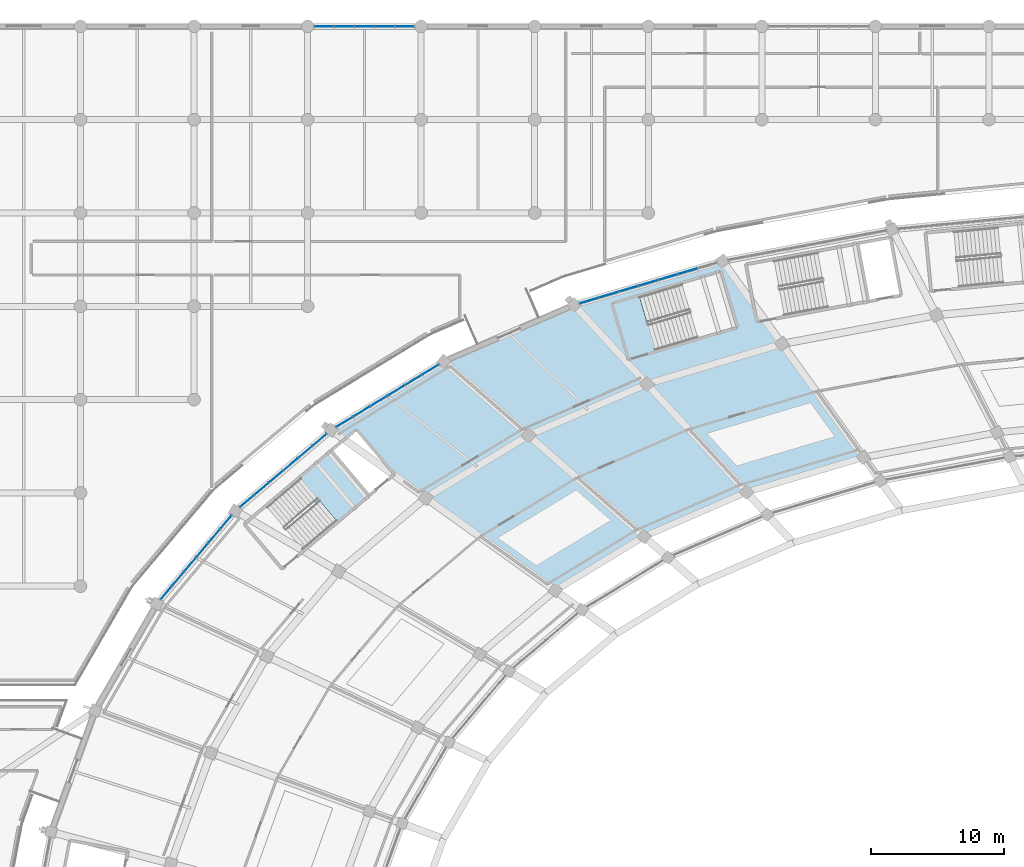
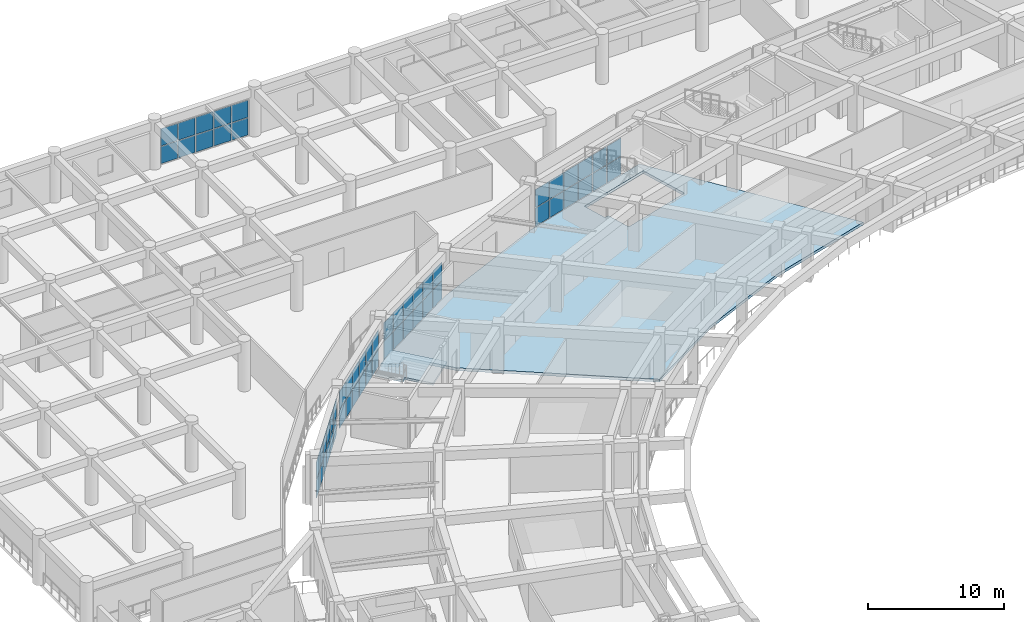
# One storey, part 86 of 145: 58 plates, 2 slabs, 6 elements without a shape of their own.
"""IFC4 building model written with IfcOpenShell, lengths in metres."""

from ifc_helpers import new_model, si_unit, direction, frame, origin, origin_2d, place, context, subcontext, project, spatial, polyline, rectangle, outline, extrude, material, layer, layer_set, type_object, element, aggregate, save


model = new_model("IFC4")

# Units and contexts
model_context = context("Model", 3, precision=1e-05, world=origin(), true_north=direction((0.0, 1.0)))
body_context = subcontext(model_context, "Body", "Model", "MODEL_VIEW")
ifc_project = project(units=[si_unit("LENGTHUNIT", "METRE"), si_unit("AREAUNIT", "SQUARE_METRE"), si_unit("VOLUMEUNIT", "CUBIC_METRE"), si_unit("PLANEANGLEUNIT", "RADIAN"), si_unit("MASSUNIT", "GRAM", prefix="KILO")], contexts=[model_context])

# Site, building, storey
site_placement = place(None, origin())
site = spatial("IfcSite", under=ifc_project, at=site_placement, CompositionType="ELEMENT")
building_placement = place(site_placement, origin())
building = spatial("IfcBuilding", under=site, at=building_placement, Name="Mphavela Belvedere Stadium", CompositionType="ELEMENT")
storey_placement = place(building_placement, frame((0.0, 0.0, 10.199951171875)))
storey = spatial("IfcBuildingStorey", under=building, at=storey_placement, Name="L02", CompositionType="ELEMENT", Elevation=10.199951171875)

# Curtain wall, plates
ifc_material_1 = material(Name="Anodised bronze unitised curtain wall framing")
ifc_layer_1 = layer(ifc_material_1, 0.195068359375)
ifc_layer_set_1 = layer_set([ifc_layer_1], Name="Anodised bronze unitised curtain wall framing")
curtain_wall_type_1 = type_object("IfcCurtainWallType", Name="CW-UNIT-04", PredefinedType="USERDEFINED", material=ifc_layer_set_1)
curtain_wall_1_placement = place(storey_placement, origin())
curtain_wall_1 = element("IfcCurtainWall", 1, at=curtain_wall_1_placement, inside=storey, type_object=curtain_wall_type_1, Name="Belvedere colonnade curtain wall L02-16", ObjectType="UNITISED CURTAIN WALL", PredefinedType="USERDEFINED")
ifc_material_2 = material(Name="Solar-control double glazing", Category="glass")
ifc_layer_2 = layer(ifc_material_2, 0.031982421875)
ifc_layer_set_2 = layer_set([ifc_layer_2], Name="Solar-control double glazing")
plate_type = type_object("IfcPlateType", Name="CWP-SOLAR-GLASS", PredefinedType="CURTAIN_PANEL", material=ifc_layer_set_2)
plate_1_placement = place(storey_placement, frame((62.594482421875, 155.623779296875, 0.06005859375), z_axis=(0.0, 0.0, 1.0), x_axis=(-0.95866207188, -0.284547064542, 0.0)))
plate_1 = element("IfcPlate", 2, at=plate_1_placement, type_object=plate_type, Name="CW-04 panel 2.1", PredefinedType="CURTAIN_PANEL", context=body_context, shape_type="SweptSolid", body=[
    extrude(rectangle(XDim=1.480712890625, YDim=0.031982421875, at=origin_2d()), origin(), (0.0, 0.0, 1.0), 1.6201171875),
])
plate_2_placement = place(storey_placement, frame((62.594482421875, 155.623779296875, 1.739990234375), z_axis=(0.0, 0.0, 1.0), x_axis=(-0.95866207188, -0.284547064542, 0.0)))
plate_2 = element("IfcPlate", 3, at=plate_2_placement, type_object=plate_type, Name="CW-04 panel 2.2", PredefinedType="CURTAIN_PANEL", context=body_context, shape_type="SweptSolid", body=[
    extrude(rectangle(XDim=1.480712890625, YDim=0.031982421875, at=origin_2d()), origin(), (0.0, 0.0, 1.0), 1.6201171875),
])
plate_3_placement = place(storey_placement, frame((61.112548828125, 155.183837890625, 0.06005859375), z_axis=(0.0, 0.0, 1.0), x_axis=(-0.95866207188, -0.284547064542, 0.0)))
plate_3 = element("IfcPlate", 4, at=plate_3_placement, type_object=plate_type, Name="CW-04 panel 3.1", PredefinedType="CURTAIN_PANEL", context=body_context, shape_type="SweptSolid", body=[
    extrude(rectangle(XDim=1.480712890625, YDim=0.031982421875, at=origin_2d()), origin(), (0.0, 0.0, 1.0), 1.6201171875),
])
plate_4_placement = place(storey_placement, frame((61.112548828125, 155.183837890625, 1.739990234375), z_axis=(0.0, 0.0, 1.0), x_axis=(-0.95866207188, -0.284547064542, 0.0)))
plate_4 = element("IfcPlate", 5, at=plate_4_placement, type_object=plate_type, Name="CW-04 panel 3.2", PredefinedType="CURTAIN_PANEL", context=body_context, shape_type="SweptSolid", body=[
    extrude(rectangle(XDim=1.480712890625, YDim=0.031982421875, at=origin_2d()), origin(), (0.0, 0.0, 1.0), 1.6201171875),
])
plate_5_placement = place(storey_placement, frame((59.630615234375, 154.744140625, 0.06005859375), z_axis=(0.0, 0.0, 1.0), x_axis=(-0.95866207188, -0.284547064542, 0.0)))
plate_5 = element("IfcPlate", 6, at=plate_5_placement, type_object=plate_type, Name="CW-04 panel 4.1", PredefinedType="CURTAIN_PANEL", context=body_context, shape_type="SweptSolid", body=[
    extrude(rectangle(XDim=1.480712890625, YDim=0.031982421875, at=origin_2d()), origin(), (0.0, 0.0, 1.0), 1.6201171875),
])
plate_6_placement = place(storey_placement, frame((59.630615234375, 154.744140625, 1.739990234375), z_axis=(0.0, 0.0, 1.0), x_axis=(-0.95866207188, -0.284547064542, 0.0)))
plate_6 = element("IfcPlate", 7, at=plate_6_placement, type_object=plate_type, Name="CW-04 panel 4.2", PredefinedType="CURTAIN_PANEL", context=body_context, shape_type="SweptSolid", body=[
    extrude(rectangle(XDim=1.480712890625, YDim=0.031982421875, at=origin_2d()), origin(), (0.0, 0.0, 1.0), 1.6201171875),
])
plate_7_placement = place(storey_placement, frame((58.148681640625, 154.30419921875, 0.06005859375), z_axis=(0.0, 0.0, 1.0), x_axis=(-0.95866207188, -0.284547064542, 0.0)))
plate_7 = element("IfcPlate", 8, at=plate_7_placement, type_object=plate_type, Name="CW-04 panel 5.1", PredefinedType="CURTAIN_PANEL", context=body_context, shape_type="SweptSolid", body=[
    extrude(rectangle(XDim=1.480712890625, YDim=0.031982421875, at=origin_2d()), origin(), (0.0, 0.0, 1.0), 1.6201171875),
])
plate_8_placement = place(storey_placement, frame((58.148681640625, 154.30419921875, 1.739990234375), z_axis=(0.0, 0.0, 1.0), x_axis=(-0.95866207188, -0.284547064542, 0.0)))
plate_8 = element("IfcPlate", 9, at=plate_8_placement, type_object=plate_type, Name="CW-04 panel 5.2", PredefinedType="CURTAIN_PANEL", context=body_context, shape_type="SweptSolid", body=[
    extrude(rectangle(XDim=1.480712890625, YDim=0.031982421875, at=origin_2d()), origin(), (0.0, 0.0, 1.0), 1.6201171875),
])
plate_9_placement = place(storey_placement, frame((56.666748046875, 153.864501953125, 0.06005859375), z_axis=(0.0, 0.0, 1.0), x_axis=(-0.95866207188, -0.284547064542, 0.0)))
plate_9 = element("IfcPlate", 10, at=plate_9_placement, type_object=plate_type, Name="CW-04 panel 6.1", PredefinedType="CURTAIN_PANEL", context=body_context, shape_type="SweptSolid", body=[
    extrude(rectangle(XDim=1.480712890625, YDim=0.031982421875, at=origin_2d()), origin(), (0.0, 0.0, 1.0), 1.6201171875),
])
plate_10_placement = place(storey_placement, frame((56.666748046875, 153.864501953125, 1.739990234375), z_axis=(0.0, 0.0, 1.0), x_axis=(-0.95866207188, -0.284547064542, 0.0)))
plate_10 = element("IfcPlate", 11, at=plate_10_placement, type_object=plate_type, Name="CW-04 panel 6.2", PredefinedType="CURTAIN_PANEL", context=body_context, shape_type="SweptSolid", body=[
    extrude(rectangle(XDim=1.480712890625, YDim=0.031982421875, at=origin_2d()), origin(), (0.0, 0.0, 1.0), 1.6201171875),
])
plate_11_placement = place(storey_placement, frame((55.200439453125, 153.42919921875, 0.06005859375), z_axis=(0.0, 0.0, 1.0), x_axis=(-0.95866207188, -0.284547064542, 0.0)))
plate_11 = element("IfcPlate", 12, at=plate_11_placement, type_object=plate_type, Name="CW-04 panel 7.1", PredefinedType="CURTAIN_PANEL", context=body_context, shape_type="SweptSolid", body=[
    extrude(rectangle(XDim=1.4482421875, YDim=0.031982421875, at=origin_2d()), origin(), (0.0, 0.0, 1.0), 1.6201171875),
])
plate_12_placement = place(storey_placement, frame((55.200439453125, 153.42919921875, 1.739990234375), z_axis=(0.0, 0.0, 1.0), x_axis=(-0.95866207188, -0.284547064542, 0.0)))
plate_12 = element("IfcPlate", 13, at=plate_12_placement, type_object=plate_type, Name="CW-04 panel 7.2", PredefinedType="CURTAIN_PANEL", context=body_context, shape_type="SweptSolid", body=[
    extrude(rectangle(XDim=1.4482421875, YDim=0.031982421875, at=origin_2d()), origin(), (0.0, 0.0, 1.0), 1.6201171875),
])
aggregate(curtain_wall_1, [plate_1, plate_2, plate_3, plate_4, plate_5, plate_6, plate_7, plate_8, plate_9, plate_10, plate_11, plate_12])

ifc_material_3 = material(Name="Anodised bronze unitised curtain wall framing")
ifc_layer_3 = layer(ifc_material_3, 0.199951171875)
ifc_layer_set_3 = layer_set([ifc_layer_3], Name="Anodised bronze unitised curtain wall framing")
curtain_wall_type_2 = type_object("IfcCurtainWallType", Name="CW-UNIT-05", PredefinedType="USERDEFINED", material=ifc_layer_set_3)
curtain_wall_2_placement = place(storey_placement, origin())
curtain_wall_2 = element("IfcCurtainWall", 14, at=curtain_wall_2_placement, inside=storey, type_object=curtain_wall_type_2, Name="Belvedere colonnade curtain wall L02-18", ObjectType="UNITISED CURTAIN WALL", PredefinedType="USERDEFINED")
plate_13_placement = place(storey_placement, frame((43.301513671875, 148.251220703125, 0.06005859375), z_axis=(0.0, 0.0, 1.0), x_axis=(-0.85432958476, -0.519731623633, 0.0)))
plate_13 = element("IfcPlate", 15, at=plate_13_placement, type_object=plate_type, Name="CW-05 panel 1.1", PredefinedType="CURTAIN_PANEL", context=body_context, shape_type="SweptSolid", body=[
    extrude(rectangle(XDim=1.420166015625, YDim=0.031982421875, at=origin_2d()), origin(), (0.0, 0.0, 1.0), 1.6201171875),
])
plate_14_placement = place(storey_placement, frame((43.301513671875, 148.251220703125, 1.739990234375), z_axis=(0.0, 0.0, 1.0), x_axis=(-0.85432958476, -0.519731623633, 0.0)))
plate_14 = element("IfcPlate", 16, at=plate_14_placement, type_object=plate_type, Name="CW-05 panel 1.2", PredefinedType="CURTAIN_PANEL", context=body_context, shape_type="SweptSolid", body=[
    extrude(rectangle(XDim=1.420166015625, YDim=0.031982421875, at=origin_2d()), origin(), (0.0, 0.0, 1.0), 1.6201171875),
])
plate_15_placement = place(storey_placement, frame((42.01904296875, 147.470947265625, 0.06005859375), z_axis=(0.0, 0.0, 1.0), x_axis=(-0.85432958476, -0.519731623633, 0.0)))
plate_15 = element("IfcPlate", 17, at=plate_15_placement, type_object=plate_type, Name="CW-05 panel 2.1", PredefinedType="CURTAIN_PANEL", context=body_context, shape_type="SweptSolid", body=[
    extrude(rectangle(XDim=1.45263671875, YDim=0.031982421875, at=origin_2d()), origin(), (0.0, 0.0, 1.0), 1.6201171875),
])
plate_16_placement = place(storey_placement, frame((42.01904296875, 147.470947265625, 1.739990234375), z_axis=(0.0, 0.0, 1.0), x_axis=(-0.85432958476, -0.519731623633, 0.0)))
plate_16 = element("IfcPlate", 18, at=plate_16_placement, type_object=plate_type, Name="CW-05 panel 2.2", PredefinedType="CURTAIN_PANEL", context=body_context, shape_type="SweptSolid", body=[
    extrude(rectangle(XDim=1.45263671875, YDim=0.031982421875, at=origin_2d()), origin(), (0.0, 0.0, 1.0), 1.6201171875),
])
plate_17_placement = place(storey_placement, frame((40.722412109375, 146.68212890625, 0.06005859375), z_axis=(0.0, 0.0, 1.0), x_axis=(-0.85432958476, -0.519731623633, 0.0)))
plate_17 = element("IfcPlate", 19, at=plate_17_placement, type_object=plate_type, Name="CW-05 panel 3.1", PredefinedType="CURTAIN_PANEL", context=body_context, shape_type="SweptSolid", body=[
    extrude(rectangle(XDim=1.45263671875, YDim=0.031982421875, at=origin_2d()), origin(), (0.0, 0.0, 1.0), 1.6201171875),
])
plate_18_placement = place(storey_placement, frame((40.722412109375, 146.68212890625, 1.739990234375), z_axis=(0.0, 0.0, 1.0), x_axis=(-0.85432958476, -0.519731623633, 0.0)))
plate_18 = element("IfcPlate", 20, at=plate_18_placement, type_object=plate_type, Name="CW-05 panel 3.2", PredefinedType="CURTAIN_PANEL", context=body_context, shape_type="SweptSolid", body=[
    extrude(rectangle(XDim=1.45263671875, YDim=0.031982421875, at=origin_2d()), origin(), (0.0, 0.0, 1.0), 1.6201171875),
])
plate_19_placement = place(storey_placement, frame((39.42578125, 145.893310546875, 0.06005859375), z_axis=(0.0, 0.0, 1.0), x_axis=(-0.85432958476, -0.519731623633, 0.0)))
plate_19 = element("IfcPlate", 21, at=plate_19_placement, type_object=plate_type, Name="CW-05 panel 4.1", PredefinedType="CURTAIN_PANEL", context=body_context, shape_type="SweptSolid", body=[
    extrude(rectangle(XDim=1.45263671875, YDim=0.031982421875, at=origin_2d()), origin(), (0.0, 0.0, 1.0), 1.6201171875),
])
plate_20_placement = place(storey_placement, frame((39.42578125, 145.893310546875, 1.739990234375), z_axis=(0.0, 0.0, 1.0), x_axis=(-0.85432958476, -0.519731623633, 0.0)))
plate_20 = element("IfcPlate", 22, at=plate_20_placement, type_object=plate_type, Name="CW-05 panel 4.2", PredefinedType="CURTAIN_PANEL", context=body_context, shape_type="SweptSolid", body=[
    extrude(rectangle(XDim=1.45263671875, YDim=0.031982421875, at=origin_2d()), origin(), (0.0, 0.0, 1.0), 1.6201171875),
])
plate_21_placement = place(storey_placement, frame((38.129150390625, 145.1044921875, 0.06005859375), z_axis=(0.0, 0.0, 1.0), x_axis=(-0.85432958476, -0.519731623633, 0.0)))
plate_21 = element("IfcPlate", 23, at=plate_21_placement, type_object=plate_type, Name="CW-05 panel 5.1", PredefinedType="CURTAIN_PANEL", context=body_context, shape_type="SweptSolid", body=[
    extrude(rectangle(XDim=1.45263671875, YDim=0.031982421875, at=origin_2d()), origin(), (0.0, 0.0, 1.0), 1.6201171875),
])
plate_22_placement = place(storey_placement, frame((38.129150390625, 145.1044921875, 1.739990234375), z_axis=(0.0, 0.0, 1.0), x_axis=(-0.85432958476, -0.519731623633, 0.0)))
plate_22 = element("IfcPlate", 24, at=plate_22_placement, type_object=plate_type, Name="CW-05 panel 5.2", PredefinedType="CURTAIN_PANEL", context=body_context, shape_type="SweptSolid", body=[
    extrude(rectangle(XDim=1.45263671875, YDim=0.031982421875, at=origin_2d()), origin(), (0.0, 0.0, 1.0), 1.6201171875),
])
plate_23_placement = place(storey_placement, frame((36.8466796875, 144.32421875, 0.06005859375), z_axis=(0.0, 0.0, 1.0), x_axis=(-0.85432958476, -0.519731623633, 0.0)))
plate_23 = element("IfcPlate", 25, at=plate_23_placement, type_object=plate_type, Name="CW-05 panel 6.1", PredefinedType="CURTAIN_PANEL", context=body_context, shape_type="SweptSolid", body=[
    extrude(rectangle(XDim=1.420166015625, YDim=0.031982421875, at=origin_2d()), origin(), (0.0, 0.0, 1.0), 1.6201171875),
])
plate_24_placement = place(storey_placement, frame((36.8466796875, 144.32421875, 1.739990234375), z_axis=(0.0, 0.0, 1.0), x_axis=(-0.85432958476, -0.519731623633, 0.0)))
plate_24 = element("IfcPlate", 26, at=plate_24_placement, type_object=plate_type, Name="CW-05 panel 6.2", PredefinedType="CURTAIN_PANEL", context=body_context, shape_type="SweptSolid", body=[
    extrude(rectangle(XDim=1.420166015625, YDim=0.031982421875, at=origin_2d()), origin(), (0.0, 0.0, 1.0), 1.6201171875),
])
aggregate(curtain_wall_2, [plate_13, plate_14, plate_15, plate_16, plate_17, plate_18, plate_19, plate_20, plate_21, plate_22, plate_23, plate_24])

ifc_material_4 = material(Name="Anodised bronze unitised curtain wall framing")
ifc_layer_4 = layer(ifc_material_4, 0.205078125)
ifc_layer_set_4 = layer_set([ifc_layer_4], Name="Anodised bronze unitised curtain wall framing")
curtain_wall_type_3 = type_object("IfcCurtainWallType", Name="CW-UNIT-06", PredefinedType="USERDEFINED", material=ifc_layer_set_4)
curtain_wall_3_placement = place(storey_placement, origin())
curtain_wall_3 = element("IfcCurtainWall", 27, at=curtain_wall_3_placement, inside=storey, type_object=curtain_wall_type_3, Name="Belvedere colonnade curtain wall L02-19", ObjectType="UNITISED CURTAIN WALL", PredefinedType="USERDEFINED")
plate_25_placement = place(storey_placement, frame((34.97998046875, 142.985107421875, 0.06005859375), z_axis=(0.0, 0.0, 1.0), x_axis=(-0.764260865126, -0.644907225915, 0.0)))
plate_25 = element("IfcPlate", 28, at=plate_25_placement, type_object=plate_type, Name="CW-06 panel 1.1", PredefinedType="CURTAIN_PANEL", context=body_context, shape_type="SweptSolid", body=[
    extrude(rectangle(XDim=1.336181640625, YDim=0.031982421875, at=origin_2d()), origin(), (0.0, 0.0, 1.0), 1.6201171875),
])
plate_26_placement = place(storey_placement, frame((34.97998046875, 142.985107421875, 1.739990234375), z_axis=(0.0, 0.0, 1.0), x_axis=(-0.764260865126, -0.644907225915, 0.0)))
plate_26 = element("IfcPlate", 29, at=plate_26_placement, type_object=plate_type, Name="CW-06 panel 1.2", PredefinedType="CURTAIN_PANEL", context=body_context, shape_type="SweptSolid", body=[
    extrude(rectangle(XDim=1.336181640625, YDim=0.031982421875, at=origin_2d()), origin(), (0.0, 0.0, 1.0), 1.6201171875),
])
plate_27_placement = place(storey_placement, frame((33.896728515625, 142.07080078125, 0.06005859375), z_axis=(0.0, 0.0, 1.0), x_axis=(-0.764260865126, -0.644907225915, 0.0)))
plate_27 = element("IfcPlate", 30, at=plate_27_placement, type_object=plate_type, Name="CW-06 panel 2.1", PredefinedType="CURTAIN_PANEL", context=body_context, shape_type="SweptSolid", body=[
    extrude(rectangle(XDim=1.36865234375, YDim=0.031982421875, at=origin_2d()), origin(), (0.0, 0.0, 1.0), 1.6201171875),
])
plate_28_placement = place(storey_placement, frame((33.896728515625, 142.07080078125, 1.739990234375), z_axis=(0.0, 0.0, 1.0), x_axis=(-0.764260865126, -0.644907225915, 0.0)))
plate_28 = element("IfcPlate", 31, at=plate_28_placement, type_object=plate_type, Name="CW-06 panel 2.2", PredefinedType="CURTAIN_PANEL", context=body_context, shape_type="SweptSolid", body=[
    extrude(rectangle(XDim=1.36865234375, YDim=0.031982421875, at=origin_2d()), origin(), (0.0, 0.0, 1.0), 1.6201171875),
])
plate_29_placement = place(storey_placement, frame((32.801025390625, 141.146240234375, 0.06005859375), z_axis=(0.0, 0.0, 1.0), x_axis=(-0.764260865126, -0.644907225915, 0.0)))
plate_29 = element("IfcPlate", 32, at=plate_29_placement, type_object=plate_type, Name="CW-06 panel 3.1", PredefinedType="CURTAIN_PANEL", context=body_context, shape_type="SweptSolid", body=[
    extrude(rectangle(XDim=1.36865234375, YDim=0.031982421875, at=origin_2d()), origin(), (0.0, 0.0, 1.0), 1.6201171875),
])
plate_30_placement = place(storey_placement, frame((32.801025390625, 141.146240234375, 1.739990234375), z_axis=(0.0, 0.0, 1.0), x_axis=(-0.764260865126, -0.644907225915, 0.0)))
plate_30 = element("IfcPlate", 33, at=plate_30_placement, type_object=plate_type, Name="CW-06 panel 3.2", PredefinedType="CURTAIN_PANEL", context=body_context, shape_type="SweptSolid", body=[
    extrude(rectangle(XDim=1.36865234375, YDim=0.031982421875, at=origin_2d()), origin(), (0.0, 0.0, 1.0), 1.6201171875),
])
plate_31_placement = place(storey_placement, frame((31.705078125, 140.2216796875, 0.06005859375), z_axis=(0.0, 0.0, 1.0), x_axis=(-0.764260865126, -0.644907225915, 0.0)))
plate_31 = element("IfcPlate", 34, at=plate_31_placement, type_object=plate_type, Name="CW-06 panel 4.1", PredefinedType="CURTAIN_PANEL", context=body_context, shape_type="SweptSolid", body=[
    extrude(rectangle(XDim=1.36865234375, YDim=0.031982421875, at=origin_2d()), origin(), (0.0, 0.0, 1.0), 1.6201171875),
])
plate_32_placement = place(storey_placement, frame((31.705078125, 140.2216796875, 1.739990234375), z_axis=(0.0, 0.0, 1.0), x_axis=(-0.764260865126, -0.644907225915, 0.0)))
plate_32 = element("IfcPlate", 35, at=plate_32_placement, type_object=plate_type, Name="CW-06 panel 4.2", PredefinedType="CURTAIN_PANEL", context=body_context, shape_type="SweptSolid", body=[
    extrude(rectangle(XDim=1.36865234375, YDim=0.031982421875, at=origin_2d()), origin(), (0.0, 0.0, 1.0), 1.6201171875),
])
plate_33_placement = place(storey_placement, frame((30.609375, 139.297119140625, 0.06005859375), z_axis=(0.0, 0.0, 1.0), x_axis=(-0.764260865126, -0.644907225915, 0.0)))
plate_33 = element("IfcPlate", 36, at=plate_33_placement, type_object=plate_type, Name="CW-06 panel 5.1", PredefinedType="CURTAIN_PANEL", context=body_context, shape_type="SweptSolid", body=[
    extrude(rectangle(XDim=1.36865234375, YDim=0.031982421875, at=origin_2d()), origin(), (0.0, 0.0, 1.0), 1.6201171875),
])
plate_34_placement = place(storey_placement, frame((30.609375, 139.297119140625, 1.739990234375), z_axis=(0.0, 0.0, 1.0), x_axis=(-0.764260865126, -0.644907225915, 0.0)))
plate_34 = element("IfcPlate", 37, at=plate_34_placement, type_object=plate_type, Name="CW-06 panel 5.2", PredefinedType="CURTAIN_PANEL", context=body_context, shape_type="SweptSolid", body=[
    extrude(rectangle(XDim=1.36865234375, YDim=0.031982421875, at=origin_2d()), origin(), (0.0, 0.0, 1.0), 1.6201171875),
])
plate_35_placement = place(storey_placement, frame((29.526123046875, 138.383056640625, 0.06005859375), z_axis=(0.0, 0.0, 1.0), x_axis=(-0.764260865126, -0.644907225915, 0.0)))
plate_35 = element("IfcPlate", 38, at=plate_35_placement, type_object=plate_type, Name="CW-06 panel 6.1", PredefinedType="CURTAIN_PANEL", context=body_context, shape_type="SweptSolid", body=[
    extrude(rectangle(XDim=1.336181640625, YDim=0.031982421875, at=origin_2d()), origin(), (0.0, 0.0, 1.0), 1.6201171875),
])
plate_36_placement = place(storey_placement, frame((29.526123046875, 138.383056640625, 1.739990234375), z_axis=(0.0, 0.0, 1.0), x_axis=(-0.764260865126, -0.644907225915, 0.0)))
plate_36 = element("IfcPlate", 39, at=plate_36_placement, type_object=plate_type, Name="CW-06 panel 6.2", PredefinedType="CURTAIN_PANEL", context=body_context, shape_type="SweptSolid", body=[
    extrude(rectangle(XDim=1.336181640625, YDim=0.031982421875, at=origin_2d()), origin(), (0.0, 0.0, 1.0), 1.6201171875),
])
aggregate(curtain_wall_3, [plate_25, plate_26, plate_27, plate_28, plate_29, plate_30, plate_31, plate_32, plate_33, plate_34, plate_35, plate_36])

ifc_material_5 = material(Name="Anodised bronze unitised curtain wall framing")
ifc_layer_5 = layer(ifc_material_5, 0.179931640625)
ifc_layer_set_5 = layer_set([ifc_layer_5], Name="Anodised bronze unitised curtain wall framing")
curtain_wall_type_4 = type_object("IfcCurtainWallType", Name="CW-UNIT-01", PredefinedType="USERDEFINED", material=ifc_layer_set_5)
curtain_wall_4_placement = place(storey_placement, origin())
curtain_wall_4 = element("IfcCurtainWall", 40, at=curtain_wall_4_placement, inside=storey, type_object=curtain_wall_type_4, Name="Belvedere colonnade curtain wall L02-20", ObjectType="UNITISED CURTAIN WALL", PredefinedType="USERDEFINED")
plate_37_placement = place(storey_placement, frame((27.9453125, 136.804931640625, 0.06005859375), z_axis=(0.0, 0.0, 1.0), x_axis=(-0.645169328899, -0.76403961746, 0.0)))
plate_37 = element("IfcPlate", 41, at=plate_37_placement, type_object=plate_type, Name="CW-01 panel 1.1", PredefinedType="CURTAIN_PANEL", context=body_context, shape_type="SweptSolid", body=[
    extrude(rectangle(XDim=1.295166015625, YDim=0.031982421875, at=origin_2d()), origin(), (0.0, 0.0, 1.0), 1.6201171875),
])
plate_38_placement = place(storey_placement, frame((27.9453125, 136.804931640625, 1.739990234375), z_axis=(0.0, 0.0, 1.0), x_axis=(-0.645169328899, -0.76403961746, 0.0)))
plate_38 = element("IfcPlate", 42, at=plate_38_placement, type_object=plate_type, Name="CW-01 panel 1.2", PredefinedType="CURTAIN_PANEL", context=body_context, shape_type="SweptSolid", body=[
    extrude(rectangle(XDim=1.295166015625, YDim=0.031982421875, at=origin_2d()), origin(), (0.0, 0.0, 1.0), 1.6201171875),
])
plate_39_placement = place(storey_placement, frame((27.05712890625, 135.75341796875, 0.06005859375), z_axis=(0.0, 0.0, 1.0), x_axis=(-0.645169328899, -0.76403961746, 0.0)))
plate_39 = element("IfcPlate", 43, at=plate_39_placement, type_object=plate_type, Name="CW-01 panel 2.1", PredefinedType="CURTAIN_PANEL", context=body_context, shape_type="SweptSolid", body=[
    extrude(rectangle(XDim=1.32763671875, YDim=0.031982421875, at=origin_2d()), origin(), (0.0, 0.0, 1.0), 1.6201171875),
])
plate_40_placement = place(storey_placement, frame((27.05712890625, 135.75341796875, 1.739990234375), z_axis=(0.0, 0.0, 1.0), x_axis=(-0.645169328899, -0.76403961746, 0.0)))
plate_40 = element("IfcPlate", 44, at=plate_40_placement, type_object=plate_type, Name="CW-01 panel 2.2", PredefinedType="CURTAIN_PANEL", context=body_context, shape_type="SweptSolid", body=[
    extrude(rectangle(XDim=1.32763671875, YDim=0.031982421875, at=origin_2d()), origin(), (0.0, 0.0, 1.0), 1.6201171875),
])
plate_41_placement = place(storey_placement, frame((26.158935546875, 134.689453125, 0.06005859375), z_axis=(0.0, 0.0, 1.0), x_axis=(-0.645169328899, -0.76403961746, 0.0)))
plate_41 = element("IfcPlate", 45, at=plate_41_placement, type_object=plate_type, Name="CW-01 panel 3.1", PredefinedType="CURTAIN_PANEL", context=body_context, shape_type="SweptSolid", body=[
    extrude(rectangle(XDim=1.32763671875, YDim=0.031982421875, at=origin_2d()), origin(), (0.0, 0.0, 1.0), 1.6201171875),
])
plate_42_placement = place(storey_placement, frame((26.158935546875, 134.689453125, 1.739990234375), z_axis=(0.0, 0.0, 1.0), x_axis=(-0.645169328899, -0.76403961746, 0.0)))
plate_42 = element("IfcPlate", 46, at=plate_42_placement, type_object=plate_type, Name="CW-01 panel 3.2", PredefinedType="CURTAIN_PANEL", context=body_context, shape_type="SweptSolid", body=[
    extrude(rectangle(XDim=1.32763671875, YDim=0.031982421875, at=origin_2d()), origin(), (0.0, 0.0, 1.0), 1.6201171875),
])
plate_43_placement = place(storey_placement, frame((25.260498046875, 133.62548828125, 0.06005859375), z_axis=(0.0, 0.0, 1.0), x_axis=(-0.645169328899, -0.76403961746, 0.0)))
plate_43 = element("IfcPlate", 47, at=plate_43_placement, type_object=plate_type, Name="CW-01 panel 4.1", PredefinedType="CURTAIN_PANEL", context=body_context, shape_type="SweptSolid", body=[
    extrude(rectangle(XDim=1.32763671875, YDim=0.031982421875, at=origin_2d()), origin(), (0.0, 0.0, 1.0), 1.6201171875),
])
plate_44_placement = place(storey_placement, frame((25.260498046875, 133.62548828125, 1.739990234375), z_axis=(0.0, 0.0, 1.0), x_axis=(-0.645169328899, -0.76403961746, 0.0)))
plate_44 = element("IfcPlate", 48, at=plate_44_placement, type_object=plate_type, Name="CW-01 panel 4.2", PredefinedType="CURTAIN_PANEL", context=body_context, shape_type="SweptSolid", body=[
    extrude(rectangle(XDim=1.32763671875, YDim=0.031982421875, at=origin_2d()), origin(), (0.0, 0.0, 1.0), 1.6201171875),
])
plate_45_placement = place(storey_placement, frame((24.362060546875, 132.5615234375, 0.06005859375), z_axis=(0.0, 0.0, 1.0), x_axis=(-0.645169328899, -0.76403961746, 0.0)))
plate_45 = element("IfcPlate", 49, at=plate_45_placement, type_object=plate_type, Name="CW-01 panel 5.1", PredefinedType="CURTAIN_PANEL", context=body_context, shape_type="SweptSolid", body=[
    extrude(rectangle(XDim=1.32763671875, YDim=0.031982421875, at=origin_2d()), origin(), (0.0, 0.0, 1.0), 1.6201171875),
])
plate_46_placement = place(storey_placement, frame((24.362060546875, 132.5615234375, 1.739990234375), z_axis=(0.0, 0.0, 1.0), x_axis=(-0.645169328899, -0.76403961746, 0.0)))
plate_46 = element("IfcPlate", 50, at=plate_46_placement, type_object=plate_type, Name="CW-01 panel 5.2", PredefinedType="CURTAIN_PANEL", context=body_context, shape_type="SweptSolid", body=[
    extrude(rectangle(XDim=1.32763671875, YDim=0.031982421875, at=origin_2d()), origin(), (0.0, 0.0, 1.0), 1.6201171875),
])
plate_47_placement = place(storey_placement, frame((23.47412109375, 131.510009765625, 0.06005859375), z_axis=(0.0, 0.0, 1.0), x_axis=(-0.645169328899, -0.76403961746, 0.0)))
plate_47 = element("IfcPlate", 51, at=plate_47_placement, type_object=plate_type, Name="CW-01 panel 6.1", PredefinedType="CURTAIN_PANEL", context=body_context, shape_type="SweptSolid", body=[
    extrude(rectangle(XDim=1.295166015625, YDim=0.031982421875, at=origin_2d()), origin(), (0.0, 0.0, 1.0), 1.6201171875),
])
plate_48_placement = place(storey_placement, frame((23.47412109375, 131.510009765625, 1.739990234375), z_axis=(0.0, 0.0, 1.0), x_axis=(-0.645169328899, -0.76403961746, 0.0)))
plate_48 = element("IfcPlate", 52, at=plate_48_placement, type_object=plate_type, Name="CW-01 panel 6.2", PredefinedType="CURTAIN_PANEL", context=body_context, shape_type="SweptSolid", body=[
    extrude(rectangle(XDim=1.295166015625, YDim=0.031982421875, at=origin_2d()), origin(), (0.0, 0.0, 1.0), 1.6201171875),
])
aggregate(curtain_wall_4, [plate_37, plate_38, plate_39, plate_40, plate_41, plate_42, plate_43, plate_44, plate_45, plate_46, plate_47, plate_48])

curtain_wall_5_placement = place(storey_placement, origin())
curtain_wall_5 = element("IfcCurtainWall", 53, at=curtain_wall_5_placement, inside=storey, type_object=curtain_wall_type_1, Name="North Mast and Ceremonial End Forecourt gallery curtain wall L02-05", ObjectType="UNITISED CURTAIN WALL", PredefinedType="USERDEFINED")
plate_49_placement = place(storey_placement, frame((35.320556640625, 174.0, 0.06005859375), z_axis=(0.0, 0.0, 1.0), x_axis=(1.0, 0.0, 0.0)))
plate_49 = element("IfcPlate", 54, at=plate_49_placement, type_object=plate_type, Name="CW-04 panel 1.1", PredefinedType="CURTAIN_PANEL", context=body_context, shape_type="SweptSolid", body=[
    extrude(rectangle(XDim=1.4169921875, YDim=0.031982421875, at=origin_2d()), origin(), (0.0, 0.0, 1.0), 1.5400390625),
])
plate_50_placement = place(storey_placement, frame((35.320556640625, 174.0, 1.659912109375), z_axis=(0.0, 0.0, 1.0), x_axis=(1.0, 0.0, 0.0)))
plate_50 = element("IfcPlate", 55, at=plate_50_placement, type_object=plate_type, Name="CW-04 panel 1.2", PredefinedType="CURTAIN_PANEL", context=body_context, shape_type="SweptSolid", body=[
    extrude(rectangle(XDim=1.4169921875, YDim=0.031982421875, at=origin_2d()), origin(), (0.0, 0.0, 1.0), 1.5400390625),
])
plate_51_placement = place(storey_placement, frame((36.81884765625, 174.0, 0.06005859375), z_axis=(0.0, 0.0, 1.0), x_axis=(1.0, 0.0, 0.0)))
plate_51 = element("IfcPlate", 56, at=plate_51_placement, type_object=plate_type, Name="CW-04 panel 2.1", PredefinedType="CURTAIN_PANEL", context=body_context, shape_type="SweptSolid", body=[
    extrude(rectangle(XDim=1.44970703125, YDim=0.031982421875, at=origin_2d()), origin(), (0.0, 0.0, 1.0), 1.5400390625),
])
plate_52_placement = place(storey_placement, frame((36.81884765625, 174.0, 1.659912109375), z_axis=(0.0, 0.0, 1.0), x_axis=(1.0, 0.0, 0.0)))
plate_52 = element("IfcPlate", 57, at=plate_52_placement, type_object=plate_type, Name="CW-04 panel 2.2", PredefinedType="CURTAIN_PANEL", context=body_context, shape_type="SweptSolid", body=[
    extrude(rectangle(XDim=1.44970703125, YDim=0.031982421875, at=origin_2d()), origin(), (0.0, 0.0, 1.0), 1.5400390625),
])
plate_53_placement = place(storey_placement, frame((38.33349609375, 174.0, 0.06005859375), z_axis=(0.0, 0.0, 1.0), x_axis=(1.0, 0.0, 0.0)))
plate_53 = element("IfcPlate", 58, at=plate_53_placement, type_object=plate_type, Name="CW-04 panel 3.1", PredefinedType="CURTAIN_PANEL", context=body_context, shape_type="SweptSolid", body=[
    extrude(rectangle(XDim=1.44970703125, YDim=0.031982421875, at=origin_2d()), origin(), (0.0, 0.0, 1.0), 1.5400390625),
])
plate_54_placement = place(storey_placement, frame((38.33349609375, 174.0, 1.659912109375), z_axis=(0.0, 0.0, 1.0), x_axis=(1.0, 0.0, 0.0)))
plate_54 = element("IfcPlate", 59, at=plate_54_placement, type_object=plate_type, Name="CW-04 panel 3.2", PredefinedType="CURTAIN_PANEL", context=body_context, shape_type="SweptSolid", body=[
    extrude(rectangle(XDim=1.44970703125, YDim=0.031982421875, at=origin_2d()), origin(), (0.0, 0.0, 1.0), 1.5400390625),
])
plate_55_placement = place(storey_placement, frame((39.84814453125, 174.0, 0.06005859375), z_axis=(0.0, 0.0, 1.0), x_axis=(1.0, 0.0, 0.0)))
plate_55 = element("IfcPlate", 60, at=plate_55_placement, type_object=plate_type, Name="CW-04 panel 4.1", PredefinedType="CURTAIN_PANEL", context=body_context, shape_type="SweptSolid", body=[
    extrude(rectangle(XDim=1.44970703125, YDim=0.031982421875, at=origin_2d()), origin(), (0.0, 0.0, 1.0), 1.5400390625),
])
plate_56_placement = place(storey_placement, frame((39.84814453125, 174.0, 1.659912109375), z_axis=(0.0, 0.0, 1.0), x_axis=(1.0, 0.0, 0.0)))
plate_56 = element("IfcPlate", 61, at=plate_56_placement, type_object=plate_type, Name="CW-04 panel 4.2", PredefinedType="CURTAIN_PANEL", context=body_context, shape_type="SweptSolid", body=[
    extrude(rectangle(XDim=1.44970703125, YDim=0.031982421875, at=origin_2d()), origin(), (0.0, 0.0, 1.0), 1.5400390625),
])
plate_57_placement = place(storey_placement, frame((41.346435546875, 174.0, 0.06005859375), z_axis=(0.0, 0.0, 1.0), x_axis=(1.0, 0.0, 0.0)))
plate_57 = element("IfcPlate", 62, at=plate_57_placement, type_object=plate_type, Name="CW-04 panel 5.1", PredefinedType="CURTAIN_PANEL", context=body_context, shape_type="SweptSolid", body=[
    extrude(rectangle(XDim=1.4169921875, YDim=0.031982421875, at=origin_2d()), origin(), (0.0, 0.0, 1.0), 1.5400390625),
])
plate_58_placement = place(storey_placement, frame((41.346435546875, 174.0, 1.659912109375), z_axis=(0.0, 0.0, 1.0), x_axis=(1.0, 0.0, 0.0)))
plate_58 = element("IfcPlate", 63, at=plate_58_placement, type_object=plate_type, Name="CW-04 panel 5.2", PredefinedType="CURTAIN_PANEL", context=body_context, shape_type="SweptSolid", body=[
    extrude(rectangle(XDim=1.4169921875, YDim=0.031982421875, at=origin_2d()), origin(), (0.0, 0.0, 1.0), 1.5400390625),
])
aggregate(curtain_wall_5, [plate_49, plate_50, plate_51, plate_52, plate_53, plate_54, plate_55, plate_56, plate_57, plate_58])

# Slab
ifc_material_6 = material(Name="Concrete C40/50", Category="concrete")
ifc_layer_6 = layer(ifc_material_6, 0.25)
ifc_layer_set_6 = layer_set([ifc_layer_6], Name="Concrete C40/50")
slab_type_1 = type_object("IfcSlabType", Name="SLB-CONCOURSE-250", PredefinedType="FLOOR", material=ifc_layer_set_6)
slab_1_placement = place(storey_placement, frame((0.0, 0.0, -0.25)))
element("IfcSlab", 64, at=slab_1_placement, inside=storey, type_object=slab_type_1, Name="Concourse sector slab L02-S3:2", PredefinedType="FLOOR", context=body_context, shape_type="SweptSolid", body=[
    extrude(outline(polyline([(54.0625, 153.09130859375), (65.19873046875, 156.39697265625), (75.769775390625, 141.66650390625), (66.997314453125, 139.0625), (59.31005859375, 135.72998046875), (52.646240234375, 131.676025390625), (40.400634765625, 140.449951171875), (37.727294921875, 143.617919921875), (36.924560546875, 142.940673828125), (35.844482421875, 143.714599609375), (44.3037109375, 148.86083984375), (54.0625, 153.09130859375)]), holes=[polyline([(66.2001953125, 151.490234375), (65.008056640625, 155.507080078125), (58.97216796875, 153.7158203125), (59.568359375, 151.707275390625), (59.890380859375, 151.802978515625), (60.486572265625, 149.79443359375), (66.2001953125, 151.490234375)])]), origin(), (0.0, 0.0, 1.0), 0.25),
])

# Stair, slab
ifc_material_7 = material(Name="Concrete C40/50", Category="concrete")
stair_type = type_object("IfcStairType", Name="STR-HALF-TURN-2", PredefinedType="HALF_TURN_STAIR", material=ifc_material_7)
stair_placement = place(storey_placement, origin())
stair = element("IfcStair", 65, at=stair_placement, inside=storey, type_object=stair_type, Name="L02 Escape stair core C05", PredefinedType="HALF_TURN_STAIR")
ifc_material_8 = material(Name="Concrete C40/50", Category="concrete")
ifc_layer_7 = layer(ifc_material_8, 0.199951171875)
ifc_layer_set_7 = layer_set([ifc_layer_7], Name="Concrete C40/50")
slab_type_2 = type_object("IfcSlabType", Name="SLB-LANDING-200", PredefinedType="LANDING", material=ifc_layer_set_7)
slab_2_placement = place(storey_placement, frame((0.0, 0.0, 2.050048828125)))
slab_2 = element("IfcSlab", 66, at=slab_2_placement, type_object=slab_type_2, Name="ST-C05 landing 1", PredefinedType="LANDING", context=body_context, shape_type="SweptSolid", body=[
    extrude(outline(polyline([(36.331787109375, 136.80078125), (38.611572265625, 138.724609375), (35.754638671875, 142.1103515625), (33.20361328125, 139.95751953125), (34.632080078125, 138.2646484375), (34.9033203125, 138.49365234375), (36.331787109375, 136.80078125)])), origin(), (0.0, 0.0, 1.0), 0.199951171875),
])
aggregate(stair, [slab_2])

save(model, "model.ifc")
